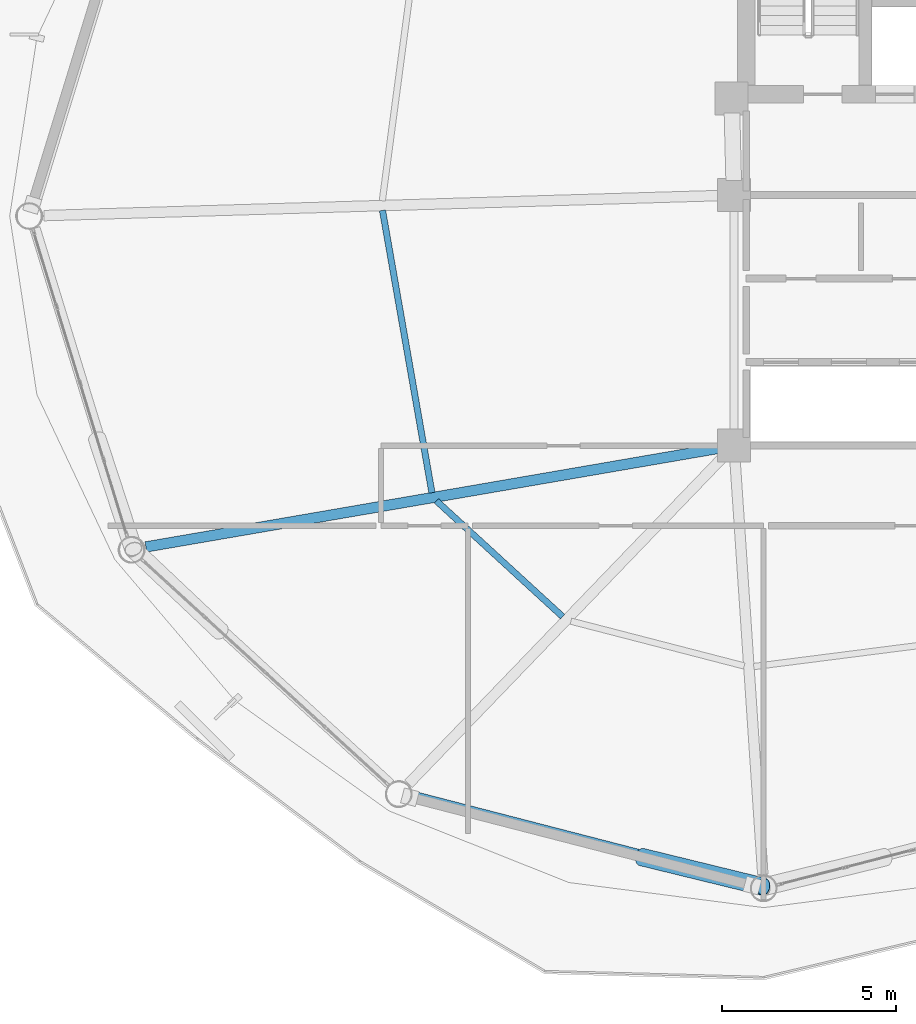
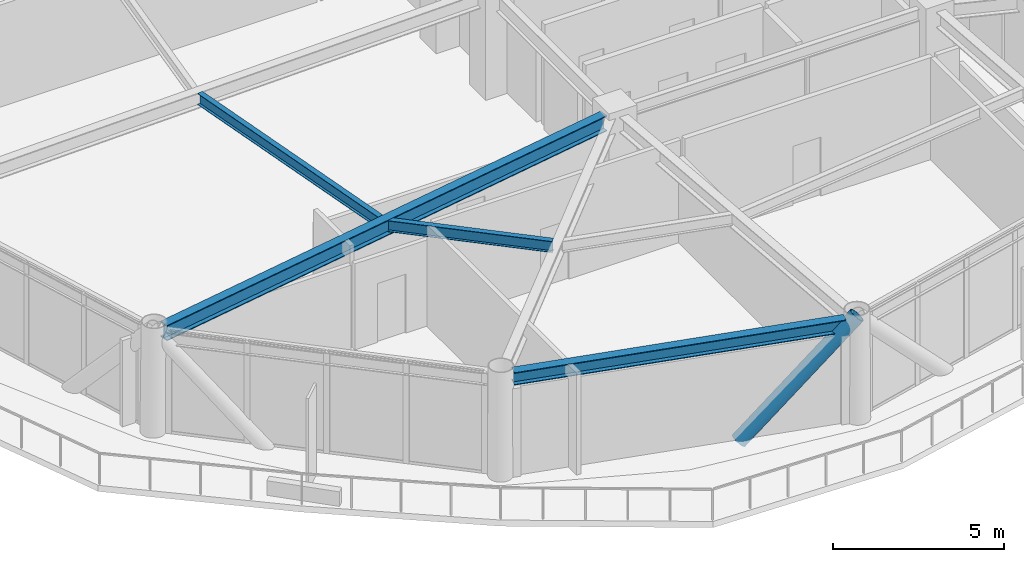
# One storey, part 5 of 23: 4 beams, 1 member.
"""IFC4 building model written with IfcOpenShell, lengths in metres."""

from ifc_helpers import new_model, si_unit, direction, frame, origin, origin_2d, place, context, subcontext, project, spatial, hollow_circle, i_section, extrude, material, material_profile, profile_set, type_object, element, save


model = new_model("IFC4")

# Units and contexts
model_context = context("Model", 3, precision=1e-05, world=origin(), true_north=direction((0.0, 1.0)))
body_context = subcontext(model_context, "Body", "Model", "MODEL_VIEW")
ifc_project = project(units=[si_unit("LENGTHUNIT", "METRE"), si_unit("AREAUNIT", "SQUARE_METRE"), si_unit("VOLUMEUNIT", "CUBIC_METRE"), si_unit("PLANEANGLEUNIT", "RADIAN"), si_unit("MASSUNIT", "GRAM", prefix="KILO")], contexts=[model_context])

# Site, building, storey
site_placement = place(None, origin())
site = spatial("IfcSite", under=ifc_project, at=site_placement, CompositionType="ELEMENT")
building_placement = place(site_placement, origin())
building = spatial("IfcBuilding", under=site, at=building_placement, Name="Varnakorn Sky Granary", CompositionType="ELEMENT")
storey_placement = place(building_placement, frame((0.0, 0.0, 130.5)))
storey = spatial("IfcBuildingStorey", under=building, at=storey_placement, Name="L32", CompositionType="ELEMENT", Elevation=130.5)

# Beams
ifc_material_1 = material(Name="Steel S355JR", Category="steel")
ifc_material_profile_1 = material_profile(ifc_material_1, i_section(OverallWidth=0.300048828125, OverallDepth=0.550048828125, WebThickness=0.014892578125, FlangeThickness=0.029052734375, at=origin_2d()), Name="HE 550 B")
ifc_profile_set_1 = profile_set([ifc_material_profile_1], Name="Steel S355JR")
beam_type_1 = type_object("IfcBeamType", Name="BM-RAD-Z3", PredefinedType="BEAM", material=ifc_profile_set_1)
beam_1_placement = place(storey_placement, frame((-2.763916015625, -6.67138671875, 3.364990234375), z_axis=(-0.985501958489, -0.16966404986, 0.0), x_axis=(0.16966404986, -0.985501958489, 0.0)))
element("IfcBeam", 1, at=beam_1_placement, inside=storey, type_object=beam_type_1, Name="Radial Floor Girder RG08 L32", PredefinedType="BEAM", context=body_context, shape_type="SweptSolid", body=[
    extrude(i_section(OverallWidth=0.300048828125, OverallDepth=0.550048828125, WebThickness=0.014892578125, FlangeThickness=0.029052734375, at=origin_2d()), origin(), (0.0, 0.0, 1.0), 16.73095703125),
])
ifc_material_profile_2 = material_profile(ifc_material_1, i_section(OverallWidth=0.179931640625, OverallDepth=0.39990234375, WebThickness=0.008544921875, FlangeThickness=0.013427734375, at=origin_2d()), Name="IPE 400")
ifc_profile_set_2 = profile_set([ifc_material_profile_2], Name="Steel S355JR")
beam_type_2 = type_object("IfcBeamType", Name="BM-SEC-Z3", PredefinedType="BEAM", material=ifc_profile_set_2)
beam_2_placement = place(storey_placement, frame((-12.452880859375, 0.161376953125, 3.43994140625), z_axis=(0.172463008158, -0.985015995209, 0.0), x_axis=(0.985015995209, 0.172463008158, 0.0)))
element("IfcBeam", 2, at=beam_2_placement, inside=storey, type_object=beam_type_2, Name="Secondary Floor Chord Beam MSB07 L32", PredefinedType="BEAM", context=body_context, shape_type="SweptSolid", body=[
    extrude(i_section(OverallWidth=0.179931640625, OverallDepth=0.39990234375, WebThickness=0.008544921875, FlangeThickness=0.013427734375, at=origin_2d()), origin(), (0.0, 0.0, 1.0), 8.237548828125),
])
beam_3_placement = place(storey_placement, frame((-10.90478515625, -8.185302734375, 3.43994140625), z_axis=(0.736913333499, -0.675987232802, 0.0), x_axis=(0.675987232802, 0.736913333499, 0.0)))
element("IfcBeam", 3, at=beam_3_placement, inside=storey, type_object=beam_type_2, Name="Secondary Floor Chord Beam MSB08 L32", PredefinedType="BEAM", context=body_context, shape_type="SweptSolid", body=[
    extrude(i_section(OverallWidth=0.179931640625, OverallDepth=0.39990234375, WebThickness=0.008544921875, FlangeThickness=0.013427734375, at=origin_2d()), origin(), (0.0, 0.0, 1.0), 4.9248046875),
])
ifc_material_profile_3 = material_profile(ifc_material_1, i_section(OverallWidth=0.300048828125, OverallDepth=0.449951171875, WebThickness=0.013916015625, FlangeThickness=0.02587890625, at=origin_2d()), Name="HE 450 B")
ifc_profile_set_3 = profile_set([ifc_material_profile_3], Name="Steel S355JR")
beam_type_3 = type_object("IfcBeamType", Name="BM-SPD-Z3", PredefinedType="SPANDREL", material=ifc_profile_set_3)
beam_4_placement = place(storey_placement, frame((-11.60302734375, -16.670654296875, 3.4150390625), z_axis=(0.96825101145, -0.24997995685, 0.0), x_axis=(0.24997995685, 0.96825101145, 0.0)))
element("IfcBeam", 4, at=beam_4_placement, inside=storey, type_object=beam_type_3, Name="Perimeter Spandrel Ring Beam RB09 L32", PredefinedType="SPANDREL", context=body_context, shape_type="SweptSolid", body=[
    extrude(i_section(OverallWidth=0.300048828125, OverallDepth=0.449951171875, WebThickness=0.013916015625, FlangeThickness=0.02587890625, at=origin_2d()), origin(), (0.0, 0.0, 1.0), 10.068115234375),
])

# Member
ifc_material_2 = material(Name="Steel S460M", Category="steel")
ifc_material_profile_4 = material_profile(ifc_material_2, hollow_circle(Radius=0.25390625, WallThickness=0.01806640625, at=origin_2d()), Name="CHS 508x18")
ifc_profile_set_4 = profile_set([ifc_material_profile_4], Name="Steel S460M")
member_type = type_object("IfcMemberType", Name="MB-DIAG-T2", PredefinedType="BRACE", material=ifc_profile_set_4)
member_placement = place(storey_placement, frame((-4.9970703125, -18.424072265625, -0.1298828125), z_axis=(0.670881734588, -0.164020373815, 0.72319777044), x_axis=(0.237490063369, 0.971389967933, 0.0)))
element("IfcMember", 5, at=member_placement, inside=storey, type_object=member_type, Name="Perimeter CHS Diagrid Brace DG09 L32", PredefinedType="BRACE", context=body_context, shape_type="SweptSolid", body=[
    extrude(hollow_circle(Radius=0.25390625, WallThickness=0.01806640625, at=origin_2d()), origin(), (0.0, 0.0, 1.0), 5.212646484375),
])

save(model, "model.ifc")
